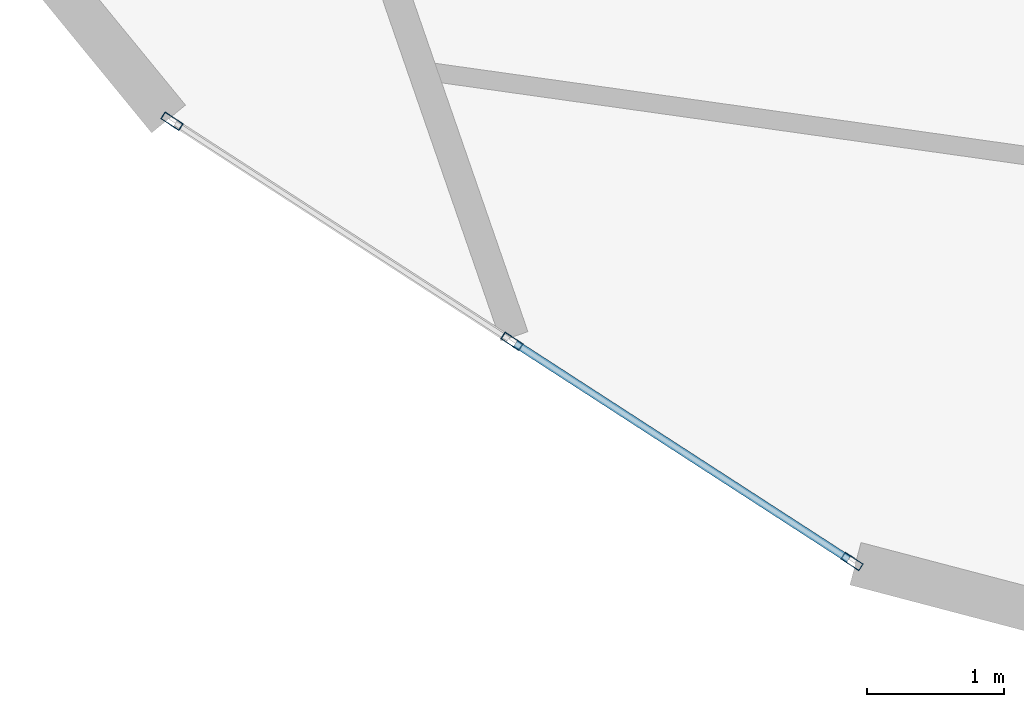
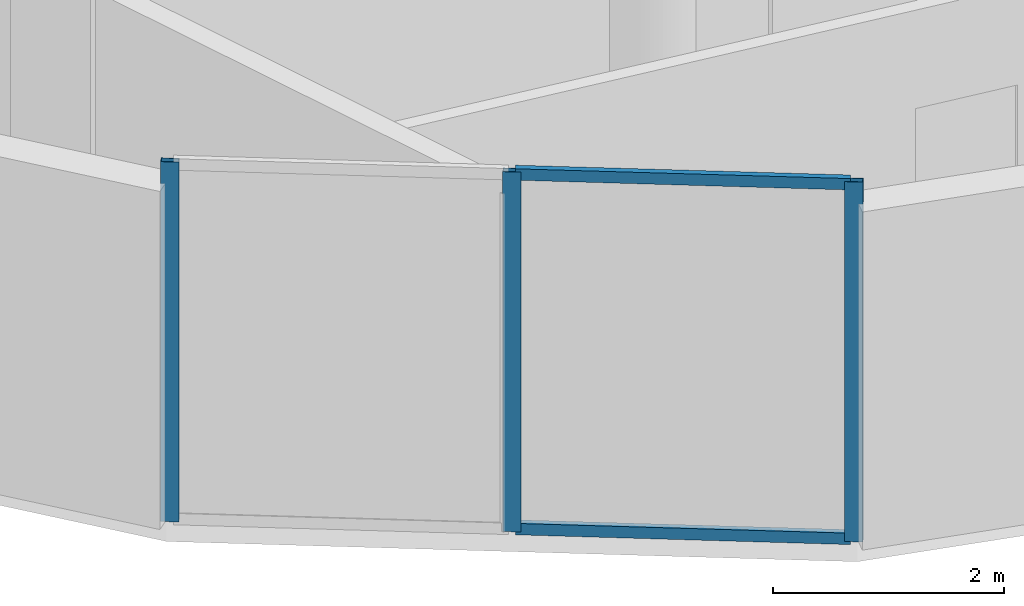
# One storey, part 2 of 22: 5 members, 1 element without a shape of its own.
"""IFC4 building model written with IfcOpenShell, lengths in metres."""

from ifc_helpers import new_model, si_unit, direction, frame, origin, origin_2d, place, context, subcontext, project, spatial, hollow_rectangle, extrude, source, transform, mapped, material, layer, layer_set, material_profile, profile_set, type_object, element, aggregate, save


model = new_model("IFC4")

# Units and contexts
model_context = context("Model", 3, precision=1e-05, world=origin(), true_north=direction((0.0, 1.0)))
body_context = subcontext(model_context, "Body", "Model", "MODEL_VIEW")
ifc_project = project(units=[si_unit("LENGTHUNIT", "METRE"), si_unit("AREAUNIT", "SQUARE_METRE"), si_unit("VOLUMEUNIT", "CUBIC_METRE"), si_unit("PLANEANGLEUNIT", "RADIAN"), si_unit("MASSUNIT", "GRAM", prefix="KILO")], contexts=[model_context])

# Site, building, storey
site_placement = place(None, origin())
site = spatial("IfcSite", under=ifc_project, at=site_placement, CompositionType="ELEMENT")
building_placement = place(site_placement, origin())
building = spatial("IfcBuilding", under=site, at=building_placement, Name="Solvirekh Grand Hotel", CompositionType="ELEMENT")
storey_placement = place(building_placement, frame((0.0, 0.0, 239.199951171875)))
storey = spatial("IfcBuildingStorey", under=building, at=storey_placement, Name="L62", CompositionType="ELEMENT", Elevation=239.199951171875)

# Curtain wall, members
ifc_material = material(Name="Anodized Bronze Aluminium 6063-T6", Category="aluminium")
ifc_layer = layer(ifc_material, 0.159912109375)
ifc_layer_set = layer_set([ifc_layer], Name="Anodized Bronze Aluminium 6063-T6")
curtain_wall_type = type_object("IfcCurtainWallType", Name="CW_Sys4_HighZoneFlushBronzeCW", PredefinedType="NOTDEFINED", material=ifc_layer_set)
curtain_wall_placement = place(storey_placement, origin())
curtain_wall = element("IfcCurtainWall", 1, at=curtain_wall_placement, inside=storey, type_object=curtain_wall_type, Name="L62 unitised bronze-glass curtain wall CW-L62-C18", PredefinedType="NOTDEFINED")
ifc_material_profile_1 = material_profile(ifc_material, hollow_rectangle(XDim=0.06005859375, YDim=0.159912109375, WallThickness=0.0048828125, at=origin_2d()), Name="ALU RHS 160X60X5")
ifc_profile_set_1 = profile_set([ifc_material_profile_1], Name="Anodized Bronze Aluminium 6063-T6")
member_type_1 = type_object("IfcMemberType", Name="CWMullion_Sys4", PredefinedType="MULLION", material=ifc_profile_set_1)
shared_shape_1 = source(origin(), body_context, "Body", "SweptSolid", [
    extrude(hollow_rectangle(XDim=0.06005859375, YDim=0.159912109375, WallThickness=0.0048828125, at=origin_2d()), origin(), (0.0, 0.0, 1.0), 3.800048828125),
])
member_1_placement = place(storey_placement, frame((-13.27587890625, -14.639404296875, 0.0), z_axis=(0.0, 0.0, 1.0), x_axis=(0.543507576279, 0.839404261681, 0.0)))
member_1 = element("IfcMember", 2, at=member_1_placement, type_object=member_type_1, Name="U04 mullion 1", PredefinedType="MULLION", context=body_context, shape_type="MappedRepresentation", body=[
    mapped(shared_shape_1, transform((0.0, 0.0, 0.0), x_axis=(1.0, 0.0, 0.0), y_axis=(0.0, 1.0, 0.0), z_axis=(0.0, 0.0, 1.0), scale=1.0)),
])
member_2_placement = place(storey_placement, frame((-10.7890625, -16.24951171875, 0.0), z_axis=(0.0, 0.0, 1.0), x_axis=(0.543507576279, 0.839404261681, 0.0)))
member_2 = element("IfcMember", 3, at=member_2_placement, type_object=member_type_1, Name="U04 mullion 2", PredefinedType="MULLION", context=body_context, shape_type="MappedRepresentation", body=[
    mapped(shared_shape_1, transform((0.0, 0.0, 0.0), x_axis=(1.0, 0.0, 0.0), y_axis=(0.0, 1.0, 0.0), z_axis=(0.0, 0.0, 1.0), scale=1.0)),
])
member_3_placement = place(storey_placement, frame((-8.30224609375, -17.859619140625, 0.0), z_axis=(0.0, 0.0, 1.0), x_axis=(0.543507576279, 0.839404261681, 0.0)))
member_3 = element("IfcMember", 4, at=member_3_placement, type_object=member_type_1, Name="U04 mullion 3", PredefinedType="MULLION", context=body_context, shape_type="MappedRepresentation", body=[
    mapped(shared_shape_1, transform((0.0, 0.0, 0.0), x_axis=(1.0, 0.0, 0.0), y_axis=(0.0, 1.0, 0.0), z_axis=(0.0, 0.0, 1.0), scale=1.0)),
])
ifc_material_profile_2 = material_profile(ifc_material, hollow_rectangle(XDim=0.054931640625, YDim=0.1201171875, WallThickness=0.00390625, at=origin_2d()), Name="ALU RHS 120X55X4")
ifc_profile_set_2 = profile_set([ifc_material_profile_2], Name="Anodized Bronze Aluminium 6063-T6")
member_type_2 = type_object("IfcMemberType", Name="CWTransom_Sys4", PredefinedType="USERDEFINED", material=ifc_profile_set_2)
shared_shape_2 = source(origin(), body_context, "Body", "SweptSolid", [
    extrude(hollow_rectangle(XDim=0.054931640625, YDim=0.1201171875, WallThickness=0.00390625, at=origin_2d()), origin(), (0.0, 0.0, 1.0), 2.902587890625),
])
member_4_placement = place(storey_placement, frame((-10.763916015625, -16.265869140625, 0.027587890625), z_axis=(0.839403131285, -0.543509322081, 0.0), x_axis=(0.543509322081, 0.839403131285, 0.0)))
member_4 = element("IfcMember", 5, at=member_4_placement, type_object=member_type_2, Name="U04 transom 2.1", ObjectType="TRANSOM", PredefinedType="USERDEFINED", context=body_context, shape_type="MappedRepresentation", body=[
    mapped(shared_shape_2, transform((0.0, 0.0, 0.0), x_axis=(1.0, 0.0, 0.0), y_axis=(0.0, 1.0, 0.0), z_axis=(0.0, 0.0, 1.0), scale=1.0)),
])
member_5_placement = place(storey_placement, frame((-10.763916015625, -16.265869140625, 3.7724609375), z_axis=(0.839403131285, -0.543509322081, 0.0), x_axis=(0.543509322081, 0.839403131285, 0.0)))
member_5 = element("IfcMember", 6, at=member_5_placement, type_object=member_type_2, Name="U04 transom 2.2", ObjectType="TRANSOM", PredefinedType="USERDEFINED", context=body_context, shape_type="MappedRepresentation", body=[
    mapped(shared_shape_2, transform((0.0, 0.0, 0.0), x_axis=(1.0, 0.0, 0.0), y_axis=(0.0, 1.0, 0.0), z_axis=(0.0, 0.0, 1.0), scale=1.0)),
])
aggregate(curtain_wall, [member_1, member_2, member_3, member_4, member_5])

save(model, "model.ifc")
